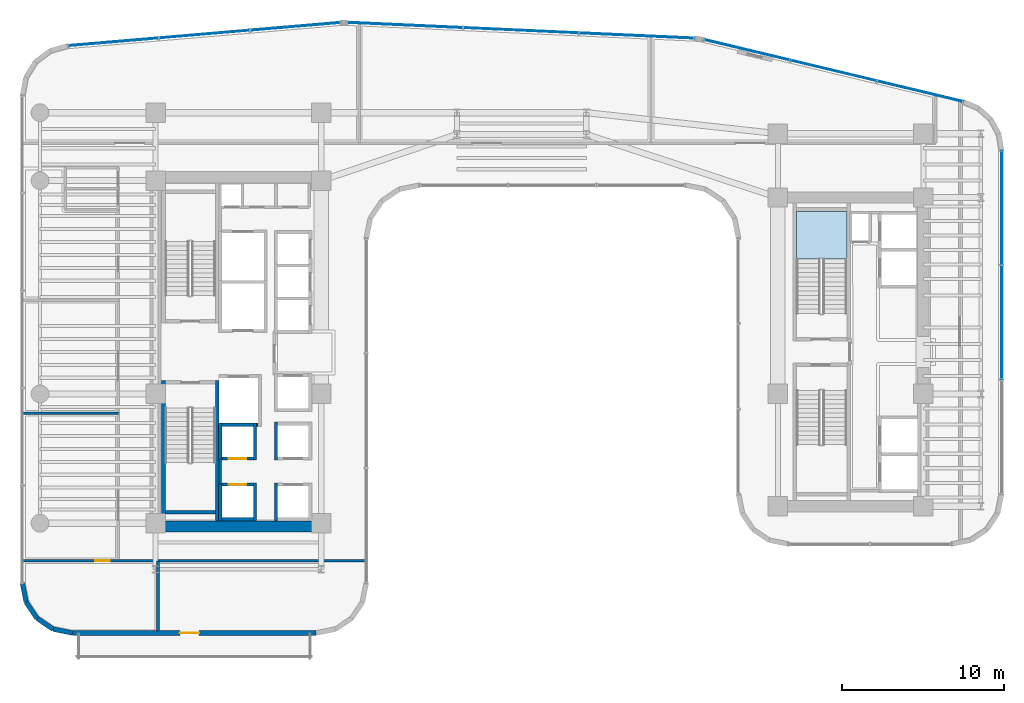
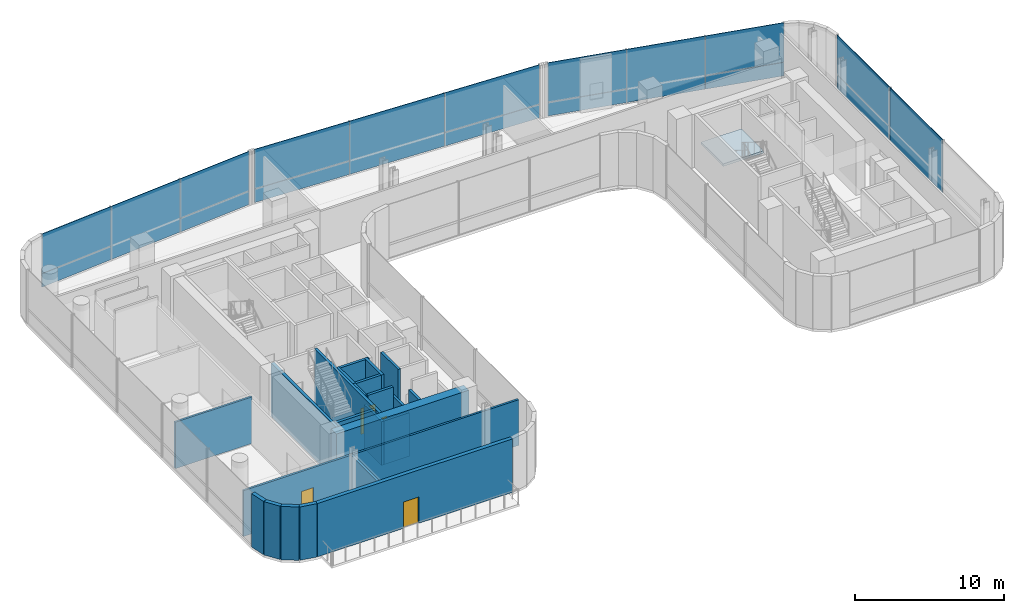
# One storey, part 24 of 32: 23 walls, 18 plates, 4 doors, 1 slab, 4 openings, 5 elements without a shape of their own.
"""IFC4 building model written with IfcOpenShell, lengths in metres."""

from ifc_helpers import new_model, si_unit, direction, frame, frame_2d, origin, origin_2d, place, context, subcontext, project, spatial, polyline, rectangle, outline, extrude, source, transform, mapped, material, layer, layer_set, type_object, element, fill, aggregate, save


model = new_model("IFC4")

# Units and contexts
model_context = context("Model", 3, precision=1e-05, world=origin(), true_north=direction((0.0, 1.0)))
body_context = subcontext(model_context, "Body", "Model", "MODEL_VIEW")
ifc_project = project(units=[si_unit("LENGTHUNIT", "METRE"), si_unit("AREAUNIT", "SQUARE_METRE"), si_unit("VOLUMEUNIT", "CUBIC_METRE"), si_unit("PLANEANGLEUNIT", "RADIAN"), si_unit("MASSUNIT", "GRAM", prefix="KILO")], contexts=[model_context])

# Site, building, storey
site_placement = place(None, origin())
site = spatial("IfcSite", under=ifc_project, at=site_placement, CompositionType="ELEMENT")
building_placement = place(site_placement, origin())
building = spatial("IfcBuilding", under=site, at=building_placement, Name="Valdorenza Pilgrim Sanctuary Tower", CompositionType="ELEMENT")
storey_placement = place(building_placement, frame((0.0, 0.0, 101.10009765625)))
storey = spatial("IfcBuildingStorey", under=building, at=storey_placement, Name="L25", CompositionType="ELEMENT", Elevation=101.10009765625)

# Stair, slab
ifc_material_1 = material(Name="Concrete C40/50", Category="concrete")
stair_type = type_object("IfcStairType", Name="STR-DOG-CORE", PredefinedType="HALF_TURN_STAIR", material=ifc_material_1)
stair_placement = place(storey_placement, origin())
stair = element("IfcStair", 1, at=stair_placement, inside=storey, type_object=stair_type, Name="L25 ST-B1", PredefinedType="HALF_TURN_STAIR")
ifc_layer_1 = layer(ifc_material_1, 0.199951171875, Name="Concrete C40/50")
ifc_layer_set_1 = layer_set([ifc_layer_1], Name="Concrete C40/50")
slab_type = type_object("IfcSlabType", Name="SLAB-STL-200", PredefinedType="LANDING", material=ifc_layer_set_1)
slab_placement = place(storey_placement, frame((0.0, 0.0, 2.099853515625)))
slab = element("IfcSlab", 2, at=slab_placement, type_object=slab_type, Name="ST-B1 landing 1", PredefinedType="LANDING", context=body_context, shape_type="SweptSolid", body=[
    extrude(outline(polyline([(20.110107421875, 5.739990234375), (20.110107421875, 8.699951171875), (17.0, 8.699951171875), (17.0, 5.739990234375), (20.110107421875, 5.739990234375)])), origin(), (0.0, 0.0, 1.0), 0.199951171875),
])
aggregate(stair, [slab])

# Curtain wall, plates
ifc_material_2 = material(Name="Curtain-wall IGU glazing", Category="glass")
curtain_wall_type = type_object("IfcCurtainWallType", Name="CW-SYS-04", PredefinedType="NOTDEFINED", material=ifc_material_2)
curtain_wall_1_placement = place(storey_placement, origin())
curtain_wall_1 = element("IfcCurtainWall", 3, at=curtain_wall_1_placement, inside=storey, type_object=curtain_wall_type, Name="L25 Curtain Wall CW-L25-1-6", PredefinedType="NOTDEFINED")
ifc_material_3 = material(Name="Honed travertine limestone", Category="masonry")
ifc_layer_2 = layer(ifc_material_3, 0.050048828125, Name="Honed travertine limestone")
ifc_layer_set_2 = layer_set([ifc_layer_2], Name="Honed travertine limestone")
plate_type_1 = type_object("IfcPlateType", Name="CW-SPN-TRV", PredefinedType="USERDEFINED", material=ifc_layer_set_2)
shared_shape_1 = source(origin(), body_context, "Body", "SweptSolid", [
    extrude(rectangle(XDim=5.61767578125, YDim=0.06005859375, at=origin_2d()), origin(), (0.0, 0.0, 1.0), 1.10009765625),
])
plate_1_placement = place(storey_placement, frame((-25.242919921875, 19.178955078125, 0.009765625), z_axis=(0.0, 0.0, 1.0), x_axis=(0.99640764237, 0.084686541006, 0.0)))
plate_1 = element("IfcPlate", 4, at=plate_1_placement, type_object=plate_type_1, Name="CW-L25-1-6 Travertine Spandrel 1", ObjectType="SPANDREL", PredefinedType="USERDEFINED", context=body_context, shape_type="MappedRepresentation", body=[
    mapped(shared_shape_1, transform((0.0, 0.0, 0.0), x_axis=(1.0, 0.0, 0.0), y_axis=(0.0, 1.0, 0.0), z_axis=(0.0, 0.0, 1.0), scale=1.0)),
])
plate_2_placement = place(storey_placement, frame((-14.008056640625, 20.1337890625, 0.009765625), z_axis=(0.0, 0.0, 1.0), x_axis=(0.99640764237, 0.084686541006, 0.0)))
plate_2 = element("IfcPlate", 5, at=plate_2_placement, type_object=plate_type_1, Name="CW-L25-1-6 Travertine Spandrel 3", ObjectType="SPANDREL", PredefinedType="USERDEFINED", context=body_context, shape_type="MappedRepresentation", body=[
    mapped(shared_shape_1, transform((0.0, 0.0, 0.0), x_axis=(1.0, 0.0, 0.0), y_axis=(0.0, 1.0, 0.0), z_axis=(0.0, 0.0, 1.0), scale=1.0)),
])
ifc_material_4 = material(Name="Ceramic-fritted low-E IGU glazing", Category="glass")
ifc_layer_3 = layer(ifc_material_4, 0.035888671875, Name="Ceramic-fritted low-E IGU glazing")
ifc_layer_set_3 = layer_set([ifc_layer_3], Name="Ceramic-fritted low-E IGU glazing")
plate_type_2 = type_object("IfcPlateType", Name="CW-GLZ-IGU", PredefinedType="USERDEFINED", material=ifc_layer_set_3)
shared_shape_2 = source(origin(), body_context, "Body", "SweptSolid", [
    extrude(rectangle(XDim=5.61767578125, YDim=0.050048828125, at=origin_2d()), origin(), (0.0, 0.0, 1.0), 3.219970703125),
])
plate_3_placement = place(storey_placement, frame((-25.242919921875, 19.178955078125, 1.1298828125), z_axis=(0.0, 0.0, 1.0), x_axis=(0.99640764237, 0.084686541006, 0.0)))
plate_3 = element("IfcPlate", 6, at=plate_3_placement, type_object=plate_type_2, Name="CW-L25-1-6 Facade Panel 1", ObjectType="GLAZING", PredefinedType="USERDEFINED", context=body_context, shape_type="MappedRepresentation", body=[
    mapped(shared_shape_2, transform((0.0, 0.0, 0.0), x_axis=(1.0, 0.0, 0.0), y_axis=(0.0, 1.0, 0.0), z_axis=(0.0, 0.0, 1.0), scale=1.0)),
])
plate_4_placement = place(storey_placement, frame((-14.008056640625, 20.1337890625, 1.1298828125), z_axis=(0.0, 0.0, 1.0), x_axis=(0.99640764237, 0.084686541006, 0.0)))
plate_4 = element("IfcPlate", 7, at=plate_4_placement, type_object=plate_type_2, Name="CW-L25-1-6 Facade Panel 3", ObjectType="GLAZING", PredefinedType="USERDEFINED", context=body_context, shape_type="MappedRepresentation", body=[
    mapped(shared_shape_2, transform((0.0, 0.0, 0.0), x_axis=(1.0, 0.0, 0.0), y_axis=(0.0, 1.0, 0.0), z_axis=(0.0, 0.0, 1.0), scale=1.0)),
])
shared_shape_3 = source(origin(), body_context, "Body", "SweptSolid", [
    extrude(rectangle(XDim=5.61767578125, YDim=0.050048828125, at=origin_2d()), origin(), (0.0, 0.0, 1.0), 4.340087890625),
])
plate_5_placement = place(storey_placement, frame((-19.62548828125, 19.656494140625, 0.009765625), z_axis=(0.0, 0.0, 1.0), x_axis=(0.99640764237, 0.084686541006, 0.0)))
plate_5 = element("IfcPlate", 8, at=plate_5_placement, type_object=plate_type_2, Name="CW-L25-1-6 Full-Height Facade Panel 2", ObjectType="GLAZING", PredefinedType="USERDEFINED", context=body_context, shape_type="MappedRepresentation", body=[
    mapped(shared_shape_3, transform((0.0, 0.0, 0.0), x_axis=(1.0, 0.0, 0.0), y_axis=(0.0, 1.0, 0.0), z_axis=(0.0, 0.0, 1.0), scale=1.0)),
])
aggregate(curtain_wall_1, [plate_1, plate_3, plate_5, plate_2, plate_4])

curtain_wall_2_placement = place(storey_placement, origin())
curtain_wall_2 = element("IfcCurtainWall", 9, at=curtain_wall_2_placement, inside=storey, type_object=curtain_wall_type, Name="L25 Curtain Wall CW-L25-1-11", PredefinedType="NOTDEFINED")
shared_shape_4 = source(origin(), body_context, "Body", "SweptSolid", [
    extrude(rectangle(XDim=7.1494140625, YDim=0.06005859375, at=origin_2d()), origin(), (0.0, 0.0, 1.0), 1.10009765625),
])
plate_6_placement = place(storey_placement, frame((-7.21484375, 20.2177734375, 0.009765625), z_axis=(0.0, 0.0, 1.0), x_axis=(0.998968193221, -0.045415294044, 0.0)))
plate_6 = element("IfcPlate", 10, at=plate_6_placement, type_object=plate_type_1, Name="CW-L25-1-11 Travertine Spandrel 1", ObjectType="SPANDREL", PredefinedType="USERDEFINED", context=body_context, shape_type="MappedRepresentation", body=[
    mapped(shared_shape_4, transform((0.0, 0.0, 0.0), x_axis=(1.0, 0.0, 0.0), y_axis=(0.0, 1.0, 0.0), z_axis=(0.0, 0.0, 1.0), scale=1.0)),
])
plate_7_placement = place(storey_placement, frame((7.10888671875, 19.56689453125, 0.009765625), z_axis=(0.0, 0.0, 1.0), x_axis=(0.998968193221, -0.045415294044, 0.0)))
plate_7 = element("IfcPlate", 11, at=plate_7_placement, type_object=plate_type_1, Name="CW-L25-1-11 Travertine Spandrel 3", ObjectType="SPANDREL", PredefinedType="USERDEFINED", context=body_context, shape_type="MappedRepresentation", body=[
    mapped(shared_shape_4, transform((0.0, 0.0, 0.0), x_axis=(1.0, 0.0, 0.0), y_axis=(0.0, 1.0, 0.0), z_axis=(0.0, 0.0, 1.0), scale=1.0)),
])
shared_shape_5 = source(origin(), body_context, "Body", "SweptSolid", [
    extrude(rectangle(XDim=7.1494140625, YDim=0.050048828125, at=origin_2d()), origin(), (0.0, 0.0, 1.0), 3.219970703125),
])
plate_8_placement = place(storey_placement, frame((-7.21484375, 20.2177734375, 1.1298828125), z_axis=(0.0, 0.0, 1.0), x_axis=(0.998968193221, -0.045415294044, 0.0)))
plate_8 = element("IfcPlate", 12, at=plate_8_placement, type_object=plate_type_2, Name="CW-L25-1-11 Facade Panel 1", ObjectType="GLAZING", PredefinedType="USERDEFINED", context=body_context, shape_type="MappedRepresentation", body=[
    mapped(shared_shape_5, transform((0.0, 0.0, 0.0), x_axis=(1.0, 0.0, 0.0), y_axis=(0.0, 1.0, 0.0), z_axis=(0.0, 0.0, 1.0), scale=1.0)),
])
plate_9_placement = place(storey_placement, frame((7.10888671875, 19.56689453125, 1.1298828125), z_axis=(0.0, 0.0, 1.0), x_axis=(0.998968193221, -0.045415294044, 0.0)))
plate_9 = element("IfcPlate", 13, at=plate_9_placement, type_object=plate_type_2, Name="CW-L25-1-11 Facade Panel 3", ObjectType="GLAZING", PredefinedType="USERDEFINED", context=body_context, shape_type="MappedRepresentation", body=[
    mapped(shared_shape_5, transform((0.0, 0.0, 0.0), x_axis=(1.0, 0.0, 0.0), y_axis=(0.0, 1.0, 0.0), z_axis=(0.0, 0.0, 1.0), scale=1.0)),
])
shared_shape_6 = source(origin(), body_context, "Body", "SweptSolid", [
    extrude(rectangle(XDim=7.1494140625, YDim=0.050048828125, at=origin_2d()), origin(), (0.0, 0.0, 1.0), 4.340087890625),
])
plate_10_placement = place(storey_placement, frame((-0.052978515625, 19.892333984375, 0.009765625), z_axis=(0.0, 0.0, 1.0), x_axis=(0.998968193221, -0.045415294044, 0.0)))
plate_10 = element("IfcPlate", 14, at=plate_10_placement, type_object=plate_type_2, Name="CW-L25-1-11 Full-Height Facade Panel 2", ObjectType="GLAZING", PredefinedType="USERDEFINED", context=body_context, shape_type="MappedRepresentation", body=[
    mapped(shared_shape_6, transform((0.0, 0.0, 0.0), x_axis=(1.0, 0.0, 0.0), y_axis=(0.0, 1.0, 0.0), z_axis=(0.0, 0.0, 1.0), scale=1.0)),
])
aggregate(curtain_wall_2, [plate_6, plate_8, plate_10, plate_7, plate_9])

curtain_wall_3_placement = place(storey_placement, origin())
curtain_wall_3 = element("IfcCurtainWall", 15, at=curtain_wall_3_placement, inside=storey, type_object=curtain_wall_type, Name="L25 Curtain Wall CW-L25-1-16", PredefinedType="NOTDEFINED")
shared_shape_7 = source(origin(), body_context, "Body", "SweptSolid", [
    extrude(rectangle(XDim=5.477294921875, YDim=0.06005859375, at=origin_2d()), origin(), (0.0, 0.0, 1.0), 1.10009765625),
])
plate_11_placement = place(storey_placement, frame((13.944580078125, 18.68212890625, 0.009765625), z_axis=(0.0, 0.0, 1.0), x_axis=(0.972528596343, -0.232783438617, 0.0)))
plate_11 = element("IfcPlate", 16, at=plate_11_placement, type_object=plate_type_1, Name="CW-L25-1-16 Travertine Spandrel 1", ObjectType="SPANDREL", PredefinedType="USERDEFINED", context=body_context, shape_type="MappedRepresentation", body=[
    mapped(shared_shape_7, transform((0.0, 0.0, 0.0), x_axis=(1.0, 0.0, 0.0), y_axis=(0.0, 1.0, 0.0), z_axis=(0.0, 0.0, 1.0), scale=1.0)),
])
plate_12_placement = place(storey_placement, frame((24.63720703125, 16.122802734375, 0.009765625), z_axis=(0.0, 0.0, 1.0), x_axis=(0.972528596343, -0.232783438617, 0.0)))
plate_12 = element("IfcPlate", 17, at=plate_12_placement, type_object=plate_type_1, Name="CW-L25-1-16 Travertine Spandrel 3", ObjectType="SPANDREL", PredefinedType="USERDEFINED", context=body_context, shape_type="MappedRepresentation", body=[
    mapped(shared_shape_7, transform((0.0, 0.0, 0.0), x_axis=(1.0, 0.0, 0.0), y_axis=(0.0, 1.0, 0.0), z_axis=(0.0, 0.0, 1.0), scale=1.0)),
])
shared_shape_8 = source(origin(), body_context, "Body", "SweptSolid", [
    extrude(rectangle(XDim=5.477294921875, YDim=0.050048828125, at=origin_2d()), origin(), (0.0, 0.0, 1.0), 3.219970703125),
])
plate_13_placement = place(storey_placement, frame((13.944580078125, 18.68212890625, 1.1298828125), z_axis=(0.0, 0.0, 1.0), x_axis=(0.972528596343, -0.232783438617, 0.0)))
plate_13 = element("IfcPlate", 18, at=plate_13_placement, type_object=plate_type_2, Name="CW-L25-1-16 Facade Panel 1", ObjectType="GLAZING", PredefinedType="USERDEFINED", context=body_context, shape_type="MappedRepresentation", body=[
    mapped(shared_shape_8, transform((0.0, 0.0, 0.0), x_axis=(1.0, 0.0, 0.0), y_axis=(0.0, 1.0, 0.0), z_axis=(0.0, 0.0, 1.0), scale=1.0)),
])
plate_14_placement = place(storey_placement, frame((24.63720703125, 16.122802734375, 1.1298828125), z_axis=(0.0, 0.0, 1.0), x_axis=(0.972528596343, -0.232783438617, 0.0)))
plate_14 = element("IfcPlate", 19, at=plate_14_placement, type_object=plate_type_2, Name="CW-L25-1-16 Facade Panel 3", ObjectType="GLAZING", PredefinedType="USERDEFINED", context=body_context, shape_type="MappedRepresentation", body=[
    mapped(shared_shape_8, transform((0.0, 0.0, 0.0), x_axis=(1.0, 0.0, 0.0), y_axis=(0.0, 1.0, 0.0), z_axis=(0.0, 0.0, 1.0), scale=1.0)),
])
shared_shape_9 = source(origin(), body_context, "Body", "SweptSolid", [
    extrude(rectangle(XDim=5.477294921875, YDim=0.050048828125, at=origin_2d()), origin(), (0.0, 0.0, 1.0), 4.340087890625),
])
plate_15_placement = place(storey_placement, frame((19.291015625, 17.40234375, 0.009765625), z_axis=(0.0, 0.0, 1.0), x_axis=(0.972528596343, -0.232783438617, 0.0)))
plate_15 = element("IfcPlate", 20, at=plate_15_placement, type_object=plate_type_2, Name="CW-L25-1-16 Full-Height Facade Panel 2", ObjectType="GLAZING", PredefinedType="USERDEFINED", context=body_context, shape_type="MappedRepresentation", body=[
    mapped(shared_shape_9, transform((0.0, 0.0, 0.0), x_axis=(1.0, 0.0, 0.0), y_axis=(0.0, 1.0, 0.0), z_axis=(0.0, 0.0, 1.0), scale=1.0)),
])
aggregate(curtain_wall_3, [plate_11, plate_13, plate_15, plate_12, plate_14])

curtain_wall_4_placement = place(storey_placement, origin())
curtain_wall_4 = element("IfcCurtainWall", 21, at=curtain_wall_4_placement, inside=storey, type_object=curtain_wall_type, Name="L25 Curtain Wall CW-L25-1-21", PredefinedType="NOTDEFINED")
shared_shape_10 = source(origin(), body_context, "Body", "SweptSolid", [
    extrude(rectangle(XDim=7.065185546875, YDim=0.06005859375, at=origin_2d()), origin(), (0.0, 0.0, 1.0), 1.10009765625),
])
plate_16_placement = place(storey_placement, frame((29.68994140625, 8.923828125, 0.009765625), z_axis=(0.0, 0.0, 1.0), x_axis=(0.0, -1.0, 0.0)))
plate_16 = element("IfcPlate", 22, at=plate_16_placement, type_object=plate_type_1, Name="CW-L25-1-21 Travertine Spandrel 1", ObjectType="SPANDREL", PredefinedType="USERDEFINED", context=body_context, shape_type="MappedRepresentation", body=[
    mapped(shared_shape_10, transform((0.0, 0.0, 0.0), x_axis=(1.0, 0.0, 0.0), y_axis=(0.0, 1.0, 0.0), z_axis=(0.0, 0.0, 1.0), scale=1.0)),
])
shared_shape_11 = source(origin(), body_context, "Body", "SweptSolid", [
    extrude(rectangle(XDim=7.065185546875, YDim=0.050048828125, at=origin_2d()), origin(), (0.0, 0.0, 1.0), 3.219970703125),
])
plate_17_placement = place(storey_placement, frame((29.68994140625, 8.923828125, 1.1298828125), z_axis=(0.0, 0.0, 1.0), x_axis=(0.0, -1.0, 0.0)))
plate_17 = element("IfcPlate", 23, at=plate_17_placement, type_object=plate_type_2, Name="CW-L25-1-21 Facade Panel 1", ObjectType="GLAZING", PredefinedType="USERDEFINED", context=body_context, shape_type="MappedRepresentation", body=[
    mapped(shared_shape_11, transform((0.0, 0.0, 0.0), x_axis=(1.0, 0.0, 0.0), y_axis=(0.0, 1.0, 0.0), z_axis=(0.0, 0.0, 1.0), scale=1.0)),
])
shared_shape_12 = source(origin(), body_context, "Body", "SweptSolid", [
    extrude(rectangle(XDim=7.065185546875, YDim=0.050048828125, at=origin_2d()), origin(), (0.0, 0.0, 1.0), 4.340087890625),
])
plate_18_placement = place(storey_placement, frame((29.68994140625, 1.838623046875, 0.009765625), z_axis=(0.0, 0.0, 1.0), x_axis=(0.0, -1.0, 0.0)))
plate_18 = element("IfcPlate", 24, at=plate_18_placement, type_object=plate_type_2, Name="CW-L25-1-21 Full-Height Facade Panel 2", ObjectType="GLAZING", PredefinedType="USERDEFINED", context=body_context, shape_type="MappedRepresentation", body=[
    mapped(shared_shape_12, transform((0.0, 0.0, 0.0), x_axis=(1.0, 0.0, 0.0), y_axis=(0.0, 1.0, 0.0), z_axis=(0.0, 0.0, 1.0), scale=1.0)),
])
aggregate(curtain_wall_4, [plate_16, plate_17, plate_18])

# Wall
ifc_material_5 = material(Name="Acoustic twin-stud gypsum partition", Category="gypsum")
ifc_layer_4 = layer(ifc_material_5, 0.159912109375, Name="Acoustic twin-stud gypsum partition")
ifc_layer_set_4 = layer_set([ifc_layer_4], Name="Acoustic twin-stud gypsum partition")
wall_type_1 = type_object("IfcWallType", Name="WAL-COR-160", PredefinedType="PARTITIONING", material=ifc_layer_set_4)
wall_1_placement = place(storey_placement, frame((-18.64990234375, -8.179931640625, 0.0), z_axis=(0.0, 0.0, 1.0), x_axis=(0.0, 1.0, 0.0)))
element("IfcWall", 25, at=wall_1_placement, inside=storey, type_object=wall_type_1, Name="L25 Core A South Lift Hall West Wall", PredefinedType="PARTITIONING", context=body_context, shape_type="SweptSolid", body=[
    extrude(rectangle(XDim=1.559814453125, YDim=0.159912109375, at=frame_2d((0.77978515625, 0.0))), origin(), (0.0, 0.0, 1.0), 4.35986328125),
])

# Wall, opening, door
wall_2_placement = place(storey_placement, frame((-30.889892578125, -12.919921875, 0.0), z_axis=(0.0, 0.0, 1.0), x_axis=(1.0, 0.0, 0.0)))
wall_2 = element("IfcWall", 26, at=wall_2_placement, inside=storey, type_object=wall_type_1, Name="L25 Sky South Salon Wall", PredefinedType="PARTITIONING", context=body_context, shape_type="SweptSolid", body=[
    extrude(rectangle(XDim=21.27978515625, YDim=0.159912109375, at=frame_2d((10.639892578125, 0.0))), origin(), (0.0, 0.0, 1.0), 3.73388671875),
])
opening_1_placement = place(wall_2_placement, frame((4.5, 0.0, 0.0)))
opening_1 = element("IfcOpeningElement", 27, at=opening_1_placement, cuts=wall_2, Name="Opening DR-RM1", PredefinedType="OPENING", context=body_context, shape_type="SweptSolid", body=[
    extrude(rectangle(XDim=0.89990234375, YDim=2.10009765625, at=frame_2d((0.449951171875, 1.050048828125))), frame((0.0, 0.0947265625, 0.0), z_axis=(0.0, -1.0, 0.0), x_axis=(1.0, 0.0, 0.0)), (0.0, 0.0, 1.0), 0.189697265625),
])
ifc_material_6 = material(Name="Solid-core European oak timber", Category="wood")
door_type_1 = type_object("IfcDoorType", Name="DR-ROOM-900", OperationType="NOTDEFINED", PredefinedType="DOOR", material=ifc_material_6)
door_1_placement = place(opening_1_placement, origin())
door_1 = element("IfcDoor", 28, at=door_1_placement, inside=storey, type_object=door_type_1, Name="L25 South Viewing Salon Door", OperationType="SINGLE_SWING_RIGHT", OverallHeight=2.10009765625, OverallWidth=0.89990234375, PredefinedType="DOOR", context=body_context, shape_type="SweptSolid", body=[
    extrude(rectangle(XDim=0.89990234375, YDim=2.10009765625, at=frame_2d((0.449951171875, 1.050048828125))), frame((0.0, 0.02490234375, 0.0), z_axis=(0.0, -1.0, 0.0), x_axis=(1.0, 0.0, 0.0)), (0.0, 0.0, 1.0), 0.050048828125),
])
fill(opening_1, door_1)

# Walls
wall_3_placement = place(storey_placement, frame((-22.5, -17.264892578125, 0.0), z_axis=(0.0, 0.0, 1.0), x_axis=(0.0, 1.0, 0.0)))
element("IfcWall", 29, at=wall_3_placement, inside=storey, type_object=wall_type_1, Name="L25 L25 Terrace Vestibule Wall", PredefinedType="PARTITIONING", context=body_context, shape_type="SweptSolid", body=[
    extrude(rectangle(XDim=4.344970703125, YDim=0.159912109375, at=frame_2d((2.17236328125, 0.0))), origin(), (0.0, 0.0, 1.0), 3.73388671875),
])
ifc_material_7 = material(Name="Concrete C60/75", Category="concrete")
ifc_layer_5 = layer(ifc_material_7, 0.699951171875, Name="Concrete C60/75")
ifc_layer_set_5 = layer_set([ifc_layer_5], Name="Concrete C60/75")
wall_type_2 = type_object("IfcWallType", Name="WAL-COR-700", PredefinedType="SHEAR", material=ifc_layer_set_5)
wall_4_placement = place(storey_placement, frame((-22.64990234375, -10.800048828125, 0.0), z_axis=(0.0, 0.0, 1.0), x_axis=(1.0, 0.0, 0.0)))
element("IfcWall", 30, at=wall_4_placement, inside=storey, type_object=wall_type_2, Name="L25 Split Core A Shear Wall S", PredefinedType="SHEAR", context=body_context, shape_type="SweptSolid", body=[
    extrude(rectangle(XDim=10.25, YDim=0.699951171875, at=frame_2d((5.125, 0.0))), origin(), (0.0, 0.0, 1.0), 4.35986328125),
])

# Wall, opening, door
ifc_layer_6 = layer(ifc_material_3, 0.300048828125, Name="Honed travertine limestone")
ifc_layer_set_6 = layer_set([ifc_layer_6], Name="Honed travertine limestone")
wall_type_3 = type_object("IfcWallType", Name="WAL-EXT-300", PredefinedType="SOLIDWALL", material=ifc_layer_set_6)
wall_5_placement = place(storey_placement, frame((-12.710693359375, -17.389892578125, 0.0), z_axis=(0.0, 0.0, 1.0), x_axis=(-1.0, 0.0, 0.0)))
wall_5 = element("IfcWall", 31, at=wall_5_placement, inside=storey, type_object=wall_type_3, Name="L25 Outdoor Terrace Access Stone Wall", PredefinedType="SOLIDWALL", context=body_context, shape_type="SweptSolid", body=[
    extrude(rectangle(XDim=15.07861328125, YDim=0.300048828125, at=frame_2d((7.539306640625, 0.0))), origin(), (0.0, 0.0, 1.0), 4.35986328125),
])
opening_2_placement = place(wall_5_placement, frame((7.238037109375, 0.0, 0.0)))
opening_2 = element("IfcOpeningElement", 32, at=opening_2_placement, cuts=wall_5, Name="Opening DR-TR1", PredefinedType="OPENING", context=body_context, shape_type="SweptSolid", body=[
    extrude(rectangle(XDim=1.199951171875, YDim=2.14990234375, at=frame_2d((0.60009765625, 1.074951171875))), frame((0.0, 0.1650390625, 0.0), z_axis=(0.0, -1.0, 0.0), x_axis=(1.0, 0.0, 0.0)), (0.0, 0.0, 1.0), 0.329833984375),
])
ifc_material_8 = material(Name="Champagne anodised aluminium and glass", Category="aluminium")
door_type_2 = type_object("IfcDoorType", Name="DR-TER-1200", OperationType="NOTDEFINED", PredefinedType="DOOR", material=ifc_material_8)
door_2_placement = place(opening_2_placement, origin())
door_2 = element("IfcDoor", 33, at=door_2_placement, inside=storey, type_object=door_type_2, Name="L25 Railed Outdoor Terrace Access Door", OperationType="SINGLE_SWING_LEFT", OverallHeight=2.14990234375, OverallWidth=1.199951171875, PredefinedType="DOOR", context=body_context, shape_type="SweptSolid", body=[
    extrude(rectangle(XDim=1.199951171875, YDim=2.14990234375, at=frame_2d((0.60009765625, 1.074951171875))), frame((0.0, 0.02490234375, 0.0), z_axis=(0.0, -1.0, 0.0), x_axis=(1.0, 0.0, 0.0)), (0.0, 0.0, 1.0), 0.050048828125),
])
fill(opening_2, door_2)

# Walls
wall_6_placement = place(storey_placement, frame((-27.789306640625, -17.389892578125, 0.0), z_axis=(0.0, 0.0, 1.0), x_axis=(-0.980804027463, 0.194996050505, 0.0)))
element("IfcWall", 34, at=wall_6_placement, inside=storey, type_object=wall_type_3, Name="L25 Rounded Wind-Corner Stone Pier 47", PredefinedType="SOLIDWALL", context=body_context, shape_type="SweptSolid", body=[
    extrude(rectangle(XDim=1.2158203125, YDim=0.300048828125, at=frame_2d((0.60791015625, 0.0))), origin(), (0.0, 0.0, 1.0), 4.35986328125),
])
for number, where, z_axis, x_axis, name in (
    (35, (-28.981689453125, -17.15283203125, 0.0), (0.0, 0.0, 1.0), (-0.831426265255, 0.555635100982, 0.0), "L25 Rounded Wind-Corner Stone Pier 48"),
    (36, (-29.9833984375, -16.4833984375, 0.0), (0.0, 0.0, 1.0), (-0.555635100982, 0.831426265255, 0.0), "L25 Rounded Wind-Corner Stone Pier 49"),
):
    element("IfcWall", number, at=place(storey_placement, frame(where, z_axis=z_axis, x_axis=x_axis)), inside=storey, type_object=wall_type_3, Name=name, PredefinedType="SOLIDWALL", context=body_context, shape_type="SweptSolid", body=[
        extrude(rectangle(XDim=1.204833984375, YDim=0.300048828125, at=frame_2d((0.6025390625, 0.0))), origin(), (0.0, 0.0, 1.0), 4.35986328125),
    ])
wall_7_placement = place(storey_placement, frame((-30.65283203125, -15.481689453125, 0.0), z_axis=(0.0, 0.0, 1.0), x_axis=(-0.194996050505, 0.980804027463, 0.0)))
element("IfcWall", 37, at=wall_7_placement, inside=storey, type_object=wall_type_3, Name="L25 Rounded Wind-Corner Stone Pier 50", PredefinedType="SOLIDWALL", context=body_context, shape_type="SweptSolid", body=[
    extrude(rectangle(XDim=1.2158203125, YDim=0.300048828125, at=frame_2d((0.60791015625, 0.0))), origin(), (0.0, 0.0, 1.0), 4.35986328125),
])
ifc_material_9 = material(Name="Autoclaved aerated concrete blockwork", Category="masonry")
ifc_layer_7 = layer(ifc_material_9, 0.199951171875, Name="Autoclaved aerated concrete blockwork")
ifc_layer_set_7 = layer_set([ifc_layer_7], Name="Autoclaved aerated concrete blockwork")
wall_type_4 = type_object("IfcWallType", Name="WAL-SHF-200", PredefinedType="MOVABLE", material=ifc_layer_set_7)
wall_8_placement = place(storey_placement, frame((-18.719970703125, -4.5, 0.0), z_axis=(0.0, 0.0, 1.0), x_axis=(1.0, 0.0, 0.0)))
element("IfcWall", 38, at=wall_8_placement, inside=storey, type_object=wall_type_4, Name="L25 Lift FFL-02 Hoistway Wall South", PredefinedType="MOVABLE", context=body_context, shape_type="SweptSolid", body=[
    extrude(rectangle(XDim=2.419921875, YDim=0.199951171875, at=frame_2d((1.2099609375, 0.0))), origin(), (0.0, 0.0, 1.0), 4.35986328125),
])
wall_9_placement = place(storey_placement, frame((-15.199951171875, -10.449951171875, 0.0), z_axis=(0.0, 0.0, 1.0), x_axis=(0.0, 1.0, 0.0)))
element("IfcWall", 39, at=wall_9_placement, inside=storey, type_object=wall_type_4, Name="L25 Lift PL-01 Hoistway Wall West", PredefinedType="MOVABLE", context=body_context, shape_type="SweptSolid", body=[
    extrude(rectangle(XDim=2.349853515625, YDim=0.199951171875, at=frame_2d((1.1748046875, 0.0))), origin(), (0.0, 0.0, 1.0), 3.56591796875),
])
wall_10_placement = place(storey_placement, frame((-15.199951171875, -6.699951171875, 0.0), z_axis=(0.0, 0.0, 1.0), x_axis=(0.0, 1.0, 0.0)))
element("IfcWall", 40, at=wall_10_placement, inside=storey, type_object=wall_type_4, Name="L25 Lift PL-02 Hoistway Wall West", PredefinedType="MOVABLE", context=body_context, shape_type="SweptSolid", body=[
    extrude(rectangle(XDim=2.349853515625, YDim=0.199951171875, at=frame_2d((1.1748046875, 0.0))), origin(), (0.0, 0.0, 1.0), 4.35986328125),
])
for number, where, z_axis, x_axis, name in (
    (41, (-18.64990234375, -10.449951171875, 0.0), (0.0, 0.0, 1.0), (0.0, 1.0, 0.0), "L25 Lift PL-05 Hoistway Wall West"),
    (42, (-16.5, -10.449951171875, 0.0), (0.0, 0.0, 1.0), (0.0, 1.0, 0.0), "L25 Lift PL-05 Hoistway Wall East"),
):
    element("IfcWall", number, at=place(storey_placement, frame(where, z_axis=z_axis, x_axis=x_axis)), inside=storey, type_object=wall_type_4, Name=name, PredefinedType="MOVABLE", context=body_context, shape_type="SweptSolid", body=[
        extrude(rectangle(XDim=2.349853515625, YDim=0.199951171875, at=frame_2d((1.1748046875, 0.0))), origin(), (0.0, 0.0, 1.0), 3.56591796875),
    ])
wall_11_placement = place(storey_placement, frame((-18.550048828125, -10.35009765625, 0.0), z_axis=(0.0, 0.0, 1.0), x_axis=(1.0, 0.0, 0.0)))
element("IfcWall", 43, at=wall_11_placement, inside=storey, type_object=wall_type_4, Name="L25 Lift PL-05 Hoistway Wall South", PredefinedType="MOVABLE", context=body_context, shape_type="SweptSolid", body=[
    extrude(rectangle(XDim=1.949951171875, YDim=0.199951171875, at=frame_2d((0.97509765625, 0.0))), origin(), (0.0, 0.0, 1.0), 3.56591796875),
])

# Wall, opening, door
wall_12_placement = place(storey_placement, frame((-18.550048828125, -8.199951171875, 0.0), z_axis=(0.0, 0.0, 1.0), x_axis=(1.0, 0.0, 0.0)))
wall_12 = element("IfcWall", 44, at=wall_12_placement, inside=storey, type_object=wall_type_4, Name="L25 Lift PL-05 Hoistway Wall North", PredefinedType="MOVABLE", context=body_context, shape_type="SweptSolid", body=[
    extrude(rectangle(XDim=1.949951171875, YDim=0.199951171875, at=frame_2d((0.97509765625, 0.0))), origin(), (0.0, 0.0, 1.0), 4.35986328125),
])
opening_3_placement = place(wall_12_placement, frame((0.425048828125, 0.0, 0.0)))
opening_3 = element("IfcOpeningElement", 45, at=opening_3_placement, cuts=wall_12, Name="Opening LD-01", PredefinedType="OPENING", context=body_context, shape_type="SweptSolid", body=[
    extrude(rectangle(XDim=1.10009765625, YDim=2.10009765625, at=frame_2d((0.550048828125, 1.050048828125))), frame((0.0, 0.11474609375, 0.0), z_axis=(0.0, -1.0, 0.0), x_axis=(1.0, 0.0, 0.0)), (0.0, 0.0, 1.0), 0.229736328125),
])
ifc_material_10 = material(Name="Brushed stainless steel Grade 316", Category="steel")
door_type_3 = type_object("IfcDoorType", Name="DR-LFT-1100", OperationType="DOUBLE_DOOR_SLIDING", PredefinedType="DOOR", material=ifc_material_10)
door_3_placement = place(opening_3_placement, origin())
door_3 = element("IfcDoor", 46, at=door_3_placement, inside=storey, type_object=door_type_3, Name="L25 Lift PL-05 Sliding Landing Door", OperationType="DOUBLE_DOOR_SLIDING", OverallHeight=2.10009765625, OverallWidth=1.10009765625, PredefinedType="DOOR", context=body_context, shape_type="SweptSolid", body=[
    extrude(rectangle(XDim=1.10009765625, YDim=2.10009765625, at=frame_2d((0.550048828125, 1.050048828125))), frame((0.0, 0.02490234375, 0.0), z_axis=(0.0, -1.0, 0.0), x_axis=(1.0, 0.0, 0.0)), (0.0, 0.0, 1.0), 0.050048828125),
])
fill(opening_3, door_3)

# Walls
for number, where, z_axis, x_axis, name in (
    (47, (-18.64990234375, -6.699951171875, 0.0), (0.0, 0.0, 1.0), (0.0, 1.0, 0.0), "L25 Lift PL-11 Hoistway Wall West"),
    (48, (-16.5, -6.699951171875, 0.0), (0.0, 0.0, 1.0), (0.0, 1.0, 0.0), "L25 Lift PL-11 Hoistway Wall East"),
):
    element("IfcWall", number, at=place(storey_placement, frame(where, z_axis=z_axis, x_axis=x_axis)), inside=storey, type_object=wall_type_4, Name=name, PredefinedType="MOVABLE", context=body_context, shape_type="SweptSolid", body=[
        extrude(rectangle(XDim=2.300048828125, YDim=0.199951171875, at=frame_2d((1.14990234375, 0.0))), origin(), (0.0, 0.0, 1.0), 4.35986328125),
    ])

# Wall, opening, door
wall_13_placement = place(storey_placement, frame((-18.550048828125, -6.60009765625, 0.0), z_axis=(0.0, 0.0, 1.0), x_axis=(1.0, 0.0, 0.0)))
wall_13 = element("IfcWall", 49, at=wall_13_placement, inside=storey, type_object=wall_type_4, Name="L25 Lift PL-11 Hoistway Wall South", PredefinedType="MOVABLE", context=body_context, shape_type="SweptSolid", body=[
    extrude(rectangle(XDim=1.949951171875, YDim=0.199951171875, at=frame_2d((0.97509765625, 0.0))), origin(), (0.0, 0.0, 1.0), 4.35986328125),
])
opening_4_placement = place(wall_13_placement, frame((0.425048828125, 0.0, 0.0)))
opening_4 = element("IfcOpeningElement", 50, at=opening_4_placement, cuts=wall_13, Name="Opening LD-01", PredefinedType="OPENING", context=body_context, shape_type="SweptSolid", body=[
    extrude(rectangle(XDim=1.10009765625, YDim=2.10009765625, at=frame_2d((0.550048828125, 1.050048828125))), frame((0.0, 0.11474609375, 0.0), z_axis=(0.0, -1.0, 0.0), x_axis=(1.0, 0.0, 0.0)), (0.0, 0.0, 1.0), 0.229736328125),
])
door_4_placement = place(opening_4_placement, origin())
door_4 = element("IfcDoor", 51, at=door_4_placement, inside=storey, type_object=door_type_3, Name="L25 Lift PL-11 Sliding Landing Door", OperationType="DOUBLE_DOOR_SLIDING", OverallHeight=2.10009765625, OverallWidth=1.10009765625, PredefinedType="DOOR", context=body_context, shape_type="SweptSolid", body=[
    extrude(rectangle(XDim=1.10009765625, YDim=2.10009765625, at=frame_2d((0.550048828125, 1.050048828125))), frame((0.0, 0.02490234375, 0.0), z_axis=(0.0, -1.0, 0.0), x_axis=(1.0, 0.0, 0.0)), (0.0, 0.0, 1.0), 0.050048828125),
])
fill(opening_4, door_4)

# Walls
ifc_layer_8 = layer(ifc_material_1, 0.219970703125, Name="Concrete C40/50")
ifc_layer_set_8 = layer_set([ifc_layer_8], Name="Concrete C40/50")
wall_type_5 = type_object("IfcWallType", Name="WAL-STR-SHF-220", PredefinedType="SHEAR", material=ifc_layer_set_8)
for number, where, z_axis, x_axis, name in (
    (52, (-22.159912109375, -10.449951171875, 0.0), (0.0, 0.0, 1.0), (0.0, 1.0, 0.0), "L25 ST-A2 Structural Stairwell Wall W"),
    (53, (-18.830078125, -10.449951171875, 0.0), (0.0, 0.0, 1.0), (0.0, 1.0, 0.0), "L25 ST-A2 Structural Stairwell Wall E"),
):
    element("IfcWall", number, at=place(storey_placement, frame(where, z_axis=z_axis, x_axis=x_axis)), inside=storey, type_object=wall_type_5, Name=name, PredefinedType="SHEAR", context=body_context, shape_type="SweptSolid", body=[
        extrude(rectangle(XDim=8.669921875, YDim=0.219970703125, at=frame_2d((4.3349609375, 0.0))), origin(), (0.0, 0.0, 1.0), 4.35986328125),
    ])
wall_14_placement = place(storey_placement, frame((-22.050048828125, -9.909912109375, 0.0), z_axis=(0.0, 0.0, 1.0), x_axis=(1.0, 0.0, 0.0)))
element("IfcWall", 54, at=wall_14_placement, inside=storey, type_object=wall_type_5, Name="L25 ST-A2 Structural Stairwell Wall S", PredefinedType="SHEAR", context=body_context, shape_type="SweptSolid", body=[
    extrude(rectangle(XDim=3.110107421875, YDim=0.219970703125, at=frame_2d((1.55517578125, 0.0))), origin(), (0.0, 0.0, 1.0), 4.35986328125),
])
ifc_layer_9 = layer(ifc_material_5, 0.14990234375, Name="Acoustic twin-stud gypsum partition")
ifc_layer_set_9 = layer_set([ifc_layer_9], Name="Acoustic twin-stud gypsum partition")
wall_type_6 = type_object("IfcWallType", Name="WAL-UNT-150", PredefinedType="PARTITIONING", material=ifc_layer_set_9)
wall_15_placement = place(storey_placement, frame((-30.889892578125, -3.800048828125, 0.0), z_axis=(0.0, 0.0, 1.0), x_axis=(1.0, 0.0, 0.0)))
element("IfcWall", 55, at=wall_15_placement, inside=storey, type_object=wall_type_6, Name="L25 Sky West Partition 1", PredefinedType="PARTITIONING", context=body_context, shape_type="SweptSolid", body=[
    extrude(rectangle(XDim=5.93994140625, YDim=0.14990234375, at=frame_2d((2.969970703125, 0.0))), origin(), (0.0, 0.0, 1.0), 3.7958984375),
])

save(model, "model.ifc")
